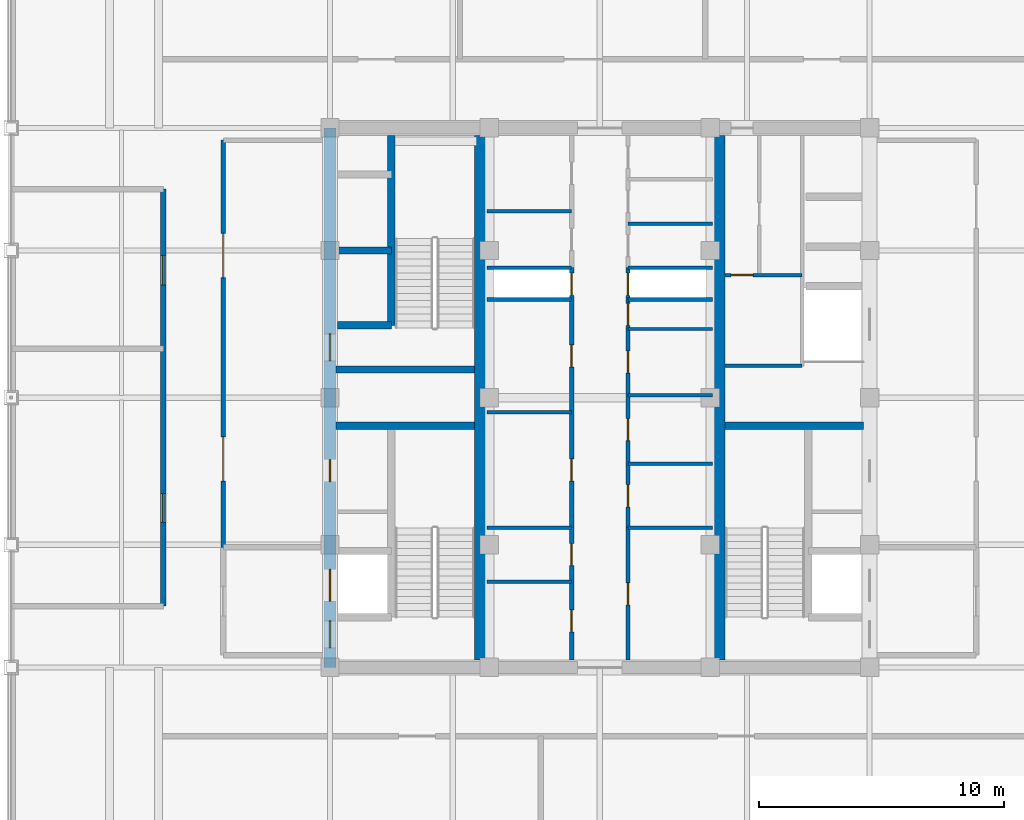
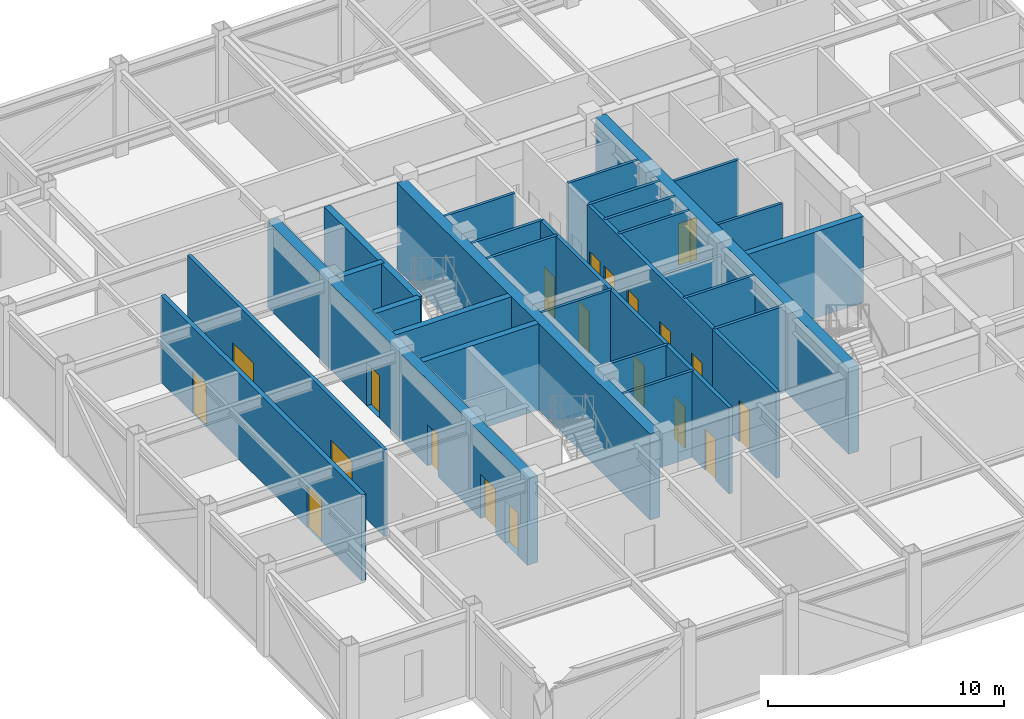
# One storey, part 24 of 27: 30 walls, 20 doors, 20 openings.
"""IFC4 building model written with IfcOpenShell, lengths in metres."""

from ifc_helpers import new_model, si_unit, direction, frame, frame_2d, origin, place, context, subcontext, project, spatial, rectangle, extrude, source, transform, mapped, material, layer, layer_set, type_object, element, fill, save


model = new_model("IFC4")

# Units and contexts
model_context = context("Model", 3, precision=1e-05, world=origin(), true_north=direction((0.0, 1.0)))
body_context = subcontext(model_context, "Body", "Model", "MODEL_VIEW")
ifc_project = project(units=[si_unit("LENGTHUNIT", "METRE"), si_unit("AREAUNIT", "SQUARE_METRE"), si_unit("VOLUMEUNIT", "CUBIC_METRE"), si_unit("PLANEANGLEUNIT", "RADIAN"), si_unit("MASSUNIT", "GRAM", prefix="KILO")], contexts=[model_context])

# Site, building, storey
site_placement = place(None, origin())
site = spatial("IfcSite", under=ifc_project, at=site_placement, CompositionType="ELEMENT")
building_placement = place(site_placement, origin())
building = spatial("IfcBuilding", under=site, at=building_placement, Name="Khorayat Bourse Tower", CompositionType="ELEMENT")
storey_placement = place(building_placement, frame((0.0, 0.0, 380.300048828125)))
storey = spatial("IfcBuildingStorey", under=building, at=storey_placement, Name="L90", CompositionType="ELEMENT", Elevation=380.300048828125)

# Wall, openings, doors
ifc_material_1 = material(Name="Concrete C52/65", Category="concrete")
ifc_layer_1 = layer(ifc_material_1, 0.5)
ifc_layer_set_1 = layer_set([ifc_layer_1], Name="Concrete C52/65")
wall_type_1 = type_object("IfcWallType", Name="WAL-CORE-500", PredefinedType="SHEAR", material=ifc_layer_set_1)
shared_shape_1 = source(origin(), body_context, "Body", "SweptSolid", [
    extrude(rectangle(XDim=22.0, YDim=0.5, at=frame_2d((11.0, 0.0))), origin(), (0.0, 0.0, 1.0), 4.449951171875),
])
wall_1_placement = place(storey_placement, frame((-11.0, -11.0, 0.0), z_axis=(0.0, 0.0, 1.0), x_axis=(0.0, 1.0, 0.0)))
wall_1 = element("IfcWall", 1, at=wall_1_placement, inside=storey, type_object=wall_type_1, Name="L90 Core Shear Wall CORE-W", PredefinedType="SHEAR", context=body_context, shape_type="MappedRepresentation", body=[
    mapped(shared_shape_1, transform((0.0, 0.0, 0.0), scale=1.0)),
])
shared_shape_2 = source(origin(), body_context, "Body", "SweptSolid", [
    extrude(rectangle(XDim=1.10009765625, YDim=2.199951171875, at=frame_2d((0.550048828125, 1.10009765625))), frame((0.0, 0.260009765625, 0.0), z_axis=(0.0, -1.0, 0.0), x_axis=(1.0, 0.0, 0.0)), (0.0, 0.0, 1.0), 0.52001953125),
])
opening_1_placement = place(wall_1_placement, frame((0.800048828125, 0.0, 0.0)))
opening_1 = element("IfcOpeningElement", 2, at=opening_1_placement, cuts=wall_1, Name="Opening DI-01", PredefinedType="OPENING", context=body_context, shape_type="MappedRepresentation", body=[
    mapped(shared_shape_2, transform((0.0, 0.0, 0.0), scale=1.0)),
])
opening_2_placement = place(wall_1_placement, frame((12.5, 0.0, 0.0)))
opening_2 = element("IfcOpeningElement", 3, at=opening_2_placement, cuts=wall_1, Name="Opening DI-01", PredefinedType="OPENING", context=body_context, shape_type="MappedRepresentation", body=[
    mapped(shared_shape_2, transform((0.0, 0.0, 0.0), scale=1.0)),
])
shared_shape_3 = source(origin(), body_context, "Body", "SweptSolid", [
    extrude(rectangle(XDim=0.89990234375, YDim=2.14990234375, at=frame_2d((0.449951171875, 1.074951171875))), frame((0.0, 0.260009765625, 0.0), z_axis=(0.0, -1.0, 0.0), x_axis=(1.0, 0.0, 0.0)), (0.0, 0.0, 1.0), 0.52001953125),
])
opening_3_placement = place(wall_1_placement, frame((7.574951171875, 0.0, 0.0)))
opening_3 = element("IfcOpeningElement", 4, at=opening_3_placement, cuts=wall_1, Name="Opening DI-06", PredefinedType="OPENING", context=body_context, shape_type="MappedRepresentation", body=[
    mapped(shared_shape_3, transform((0.0, 0.0, 0.0), scale=1.0)),
])
shared_shape_4 = source(origin(), body_context, "Body", "SweptSolid", [
    extrude(rectangle(XDim=1.300048828125, YDim=2.300048828125, at=frame_2d((0.64990234375, 1.14990234375))), frame((0.0, 0.260009765625, 0.0), z_axis=(0.0, -1.0, 0.0), x_axis=(1.0, 0.0, 0.0)), (0.0, 0.0, 1.0), 0.52001953125),
])
opening_4_placement = place(wall_1_placement, frame((2.699951171875, 0.0, 0.0)))
opening_4 = element("IfcOpeningElement", 5, at=opening_4_placement, cuts=wall_1, Name="Opening LD-02", PredefinedType="OPENING", context=body_context, shape_type="MappedRepresentation", body=[
    mapped(shared_shape_4, transform((0.0, 0.0, 0.0), scale=1.0)),
])
ifc_material_2 = material(Name="Fire-rated steel acoustic leaf", Category="steel")
door_type_1 = type_object("IfcDoorType", Name="DR-INT-STAIR-1100", OperationType="NOTDEFINED", PredefinedType="DOOR", material=ifc_material_2)
shared_shape_5 = source(origin(), body_context, "Body", "SweptSolid", [
    extrude(rectangle(XDim=1.10009765625, YDim=2.199951171875, at=frame_2d((0.550048828125, 1.10009765625))), frame((0.0, 0.02490234375, 0.0), z_axis=(0.0, -1.0, 0.0), x_axis=(1.0, 0.0, 0.0)), (0.0, 0.0, 1.0), 0.050048828125),
])
door_1_placement = place(opening_1_placement, origin())
door_1 = element("IfcDoor", 6, at=door_1_placement, inside=storey, type_object=door_type_1, Name="L90 Exit Stair 1 Door", OperationType="SINGLE_SWING_RIGHT", OverallHeight=2.199951171875, OverallWidth=1.10009765625, PredefinedType="DOOR", context=body_context, shape_type="MappedRepresentation", body=[
    mapped(shared_shape_5, transform((0.0, 0.0, 0.0), scale=1.0)),
])
fill(opening_1, door_1)
door_2_placement = place(opening_2_placement, origin())
door_2 = element("IfcDoor", 7, at=door_2_placement, inside=storey, type_object=door_type_1, Name="L90 Exit Stair 2 Door", OperationType="SINGLE_SWING_RIGHT", OverallHeight=2.199951171875, OverallWidth=1.10009765625, PredefinedType="DOOR", context=body_context, shape_type="MappedRepresentation", body=[
    mapped(shared_shape_5, transform((0.0, 0.0, 0.0), scale=1.0)),
])
fill(opening_2, door_2)
ifc_material_3 = material(Name="Moisture-resistant laminate washroom door")
door_type_2 = type_object("IfcDoorType", Name="DR-INT-WC-900", OperationType="NOTDEFINED", PredefinedType="DOOR", material=ifc_material_3)
shared_shape_6 = source(origin(), body_context, "Body", "SweptSolid", [
    extrude(rectangle(XDim=0.89990234375, YDim=2.14990234375, at=frame_2d((0.449951171875, 1.074951171875))), frame((0.0, 0.02490234375, 0.0), z_axis=(0.0, -1.0, 0.0), x_axis=(1.0, 0.0, 0.0)), (0.0, 0.0, 1.0), 0.050048828125),
])
door_3_placement = place(opening_3_placement, origin())
door_3 = element("IfcDoor", 8, at=door_3_placement, inside=storey, type_object=door_type_2, Name="L90 UPS Switch Plant Room Door", OperationType="SINGLE_SWING_RIGHT", OverallHeight=2.14990234375, OverallWidth=0.89990234375, PredefinedType="DOOR", context=body_context, shape_type="MappedRepresentation", body=[
    mapped(shared_shape_6, transform((0.0, 0.0, 0.0), scale=1.0)),
])
fill(opening_3, door_3)
ifc_material_4 = material(Name="Fire-rated stainless-steel sliding landing door", Category="steel")
door_type_3 = type_object("IfcDoorType", Name="DR-LIFT-FF-1300", OperationType="NOTDEFINED", PredefinedType="DOOR", material=ifc_material_4)
shared_shape_7 = source(origin(), body_context, "Body", "SweptSolid", [
    extrude(rectangle(XDim=1.300048828125, YDim=2.300048828125, at=frame_2d((0.64990234375, 1.14990234375))), frame((0.0, 0.02490234375, 0.0), z_axis=(0.0, -1.0, 0.0), x_axis=(1.0, 0.0, 0.0)), (0.0, 0.0, 1.0), 0.050048828125),
])
door_4_placement = place(opening_4_placement, origin())
door_4 = element("IfcDoor", 9, at=door_4_placement, inside=storey, type_object=door_type_3, Name="L90 Lift FFL-01 Sliding Landing Door", OperationType="SLIDING_TO_LEFT", OverallHeight=2.300048828125, OverallWidth=1.300048828125, PredefinedType="DOOR", context=body_context, shape_type="MappedRepresentation", body=[
    mapped(shared_shape_7, transform((0.0, 0.0, 0.0), scale=1.0)),
])
fill(opening_4, door_4)

# Walls
shared_shape_8 = source(origin(), body_context, "Body", "SweptSolid", [
    extrude(rectangle(XDim=21.39990234375, YDim=0.5, at=frame_2d((10.699951171875, 0.0))), origin(), (0.0, 0.0, 1.0), 4.449951171875),
])
for number, where, z_axis, x_axis, name in (
    (10, (-4.85009765625, -10.699951171875, 0.0), (0.0, 0.0, 1.0), (0.0, 1.0, 0.0), "L90 Core Shear Wall PIER-W"),
    (11, (4.85009765625, -10.699951171875, 0.0), (0.0, 0.0, 1.0), (0.0, 1.0, 0.0), "L90 Core Shear Wall PIER-E"),
):
    element("IfcWall", number, at=place(storey_placement, frame(where, z_axis=z_axis, x_axis=x_axis)), inside=storey, type_object=wall_type_1, Name=name, PredefinedType="SHEAR", context=body_context, shape_type="MappedRepresentation", body=[
        mapped(shared_shape_8, transform((0.0, 0.0, 0.0), scale=1.0)),
    ])
ifc_material_5 = material(Name="Concrete C50/60", Category="concrete")
ifc_layer_2 = layer(ifc_material_5, 0.300048828125)
ifc_layer_set_2 = layer_set([ifc_layer_2], Name="Concrete C50/60")
wall_type_2 = type_object("IfcWallType", Name="WAL-SHAFT-300", PredefinedType="SHEAR", material=ifc_layer_set_2)
shared_shape_9 = source(origin(), body_context, "Body", "SweptSolid", [
    extrude(rectangle(XDim=5.64990234375, YDim=0.300048828125, at=frame_2d((2.824951171875, 0.0))), origin(), (0.0, 0.0, 1.0), 4.449951171875),
])
for number, where, z_axis, x_axis, name in (
    (12, (-10.75, -1.14990234375, 0.0), (0.0, 0.0, 1.0), (1.0, 0.0, 0.0), "L90 Core Shear Wall ST1-DIV"),
    (13, (-10.75, 1.14990234375, 0.0), (0.0, 0.0, 1.0), (1.0, 0.0, 0.0), "L90 Core Shear Wall ST2-DIV"),
    (14, (5.10009765625, -1.14990234375, 0.0), (0.0, 0.0, 1.0), (1.0, 0.0, 0.0), "L90 Core Shear Wall ST3-DIV"),
):
    element("IfcWall", number, at=place(storey_placement, frame(where, z_axis=z_axis, x_axis=x_axis)), inside=storey, type_object=wall_type_2, Name=name, PredefinedType="SHEAR", context=body_context, shape_type="MappedRepresentation", body=[
        mapped(shared_shape_9, transform((0.0, 0.0, 0.0), scale=1.0)),
    ])
shared_shape_10 = source(origin(), body_context, "Body", "SweptSolid", [
    extrude(rectangle(XDim=2.199951171875, YDim=0.300048828125, at=frame_2d((1.10009765625, 0.0))), origin(), (0.0, 0.0, 1.0), 4.449951171875),
])
for number, where, z_axis, x_axis, name in (
    (15, (-10.699951171875, 2.949951171875, 0.0), (0.0, 0.0, 1.0), (1.0, 0.0, 0.0), "L90 Partition WAL-L90-WPIER-H1S"),
    (16, (-10.699951171875, 6.0, 0.0), (0.0, 0.0, 1.0), (1.0, 0.0, 0.0), "L90 Partition WAL-L90-WPIER-H12"),
):
    element("IfcWall", number, at=place(storey_placement, frame(where, z_axis=z_axis, x_axis=x_axis)), inside=storey, type_object=wall_type_2, Name=name, PredefinedType="SHEAR", context=body_context, shape_type="MappedRepresentation", body=[
        mapped(shared_shape_10, transform((0.0, 0.0, 0.0), scale=1.0)),
    ])
shared_shape_11 = source(origin(), body_context, "Body", "SweptSolid", [
    extrude(rectangle(XDim=7.75, YDim=0.300048828125, at=frame_2d((3.875, 0.0))), origin(), (0.0, 0.0, 1.0), 4.449951171875),
])
wall_2_placement = place(storey_placement, frame((-8.5, 2.949951171875, 0.0), z_axis=(0.0, 0.0, 1.0), x_axis=(0.0, 1.0, 0.0)))
element("IfcWall", 17, at=wall_2_placement, inside=storey, type_object=wall_type_2, Name="L90 Partition WAL-L90-WPIER-ST2S", PredefinedType="SHEAR", context=body_context, shape_type="MappedRepresentation", body=[
    mapped(shared_shape_11, transform((0.0, 0.0, 0.0), scale=1.0)),
])
ifc_material_6 = material(Name="Moisture-resistant masonry partition", Category="masonry")
ifc_layer_3 = layer(ifc_material_6, 0.139892578125)
ifc_layer_set_3 = layer_set([ifc_layer_3], Name="Moisture-resistant masonry partition")
wall_type_3 = type_object("IfcWallType", Name="WAL-PART-WET-140", PredefinedType="PARTITIONING", material=ifc_layer_set_3)
shared_shape_12 = source(origin(), body_context, "Body", "SweptSolid", [
    extrude(rectangle(XDim=3.14990234375, YDim=0.139892578125, at=frame_2d((1.574951171875, 0.0))), origin(), (0.0, 0.0, 1.0), 4.449951171875),
])
wall_3_placement = place(storey_placement, frame((5.10009765625, 1.300048828125, 0.0), z_axis=(0.0, 0.0, 1.0), x_axis=(1.0, 0.0, 0.0)))
element("IfcWall", 18, at=wall_3_placement, inside=storey, type_object=wall_type_3, Name="L90 Partition WAL-L90-ECORE-S", PredefinedType="PARTITIONING", context=body_context, shape_type="MappedRepresentation", body=[
    mapped(shared_shape_12, transform((0.0, 0.0, 0.0), scale=1.0)),
])

# Wall, opening, door
wall_4_placement = place(storey_placement, frame((5.10009765625, 5.0, 0.0), z_axis=(0.0, 0.0, 1.0), x_axis=(1.0, 0.0, 0.0)))
wall_4 = element("IfcWall", 19, at=wall_4_placement, inside=storey, type_object=wall_type_3, Name="L90 Partition WAL-L90-ECW-BOT", PredefinedType="PARTITIONING", context=body_context, shape_type="MappedRepresentation", body=[
    mapped(shared_shape_12, transform((0.0, 0.0, 0.0), scale=1.0)),
])
shared_shape_13 = source(origin(), body_context, "Body", "SweptSolid", [
    extrude(rectangle(XDim=0.89990234375, YDim=2.14990234375, at=frame_2d((0.449951171875, 1.074951171875))), frame((0.0, 0.079833984375, 0.0), z_axis=(0.0, -1.0, 0.0), x_axis=(1.0, 0.0, 0.0)), (0.0, 0.0, 1.0), 0.159912109375),
])
opening_5_placement = place(wall_4_placement, frame((0.25, 0.0, 0.0)))
opening_5 = element("IfcOpeningElement", 20, at=opening_5_placement, cuts=wall_4, Name="Opening DI-06", PredefinedType="OPENING", context=body_context, shape_type="MappedRepresentation", body=[
    mapped(shared_shape_13, transform((0.0, 0.0, 0.0), scale=1.0)),
])
door_5_placement = place(opening_5_placement, origin())
door_5 = element("IfcDoor", 21, at=door_5_placement, inside=storey, type_object=door_type_2, Name="L90 Shared Washroom Door", OperationType="SINGLE_SWING_LEFT", OverallHeight=2.14990234375, OverallWidth=0.89990234375, PredefinedType="DOOR", context=body_context, shape_type="MappedRepresentation", body=[
    mapped(shared_shape_6, transform((0.0, 0.0, 0.0), scale=1.0)),
])
fill(opening_5, door_5)

# Wall, openings, doors
ifc_material_7 = material(Name="Gypsum plasterboard acoustic stud wall")
ifc_layer_4 = layer(ifc_material_7, 0.179931640625)
ifc_layer_set_4 = layer_set([ifc_layer_4], Name="Gypsum plasterboard acoustic stud wall")
wall_type_4 = type_object("IfcWallType", Name="WAL-PART-CORR-180", PredefinedType="PARTITIONING", material=ifc_layer_set_4)
shared_shape_14 = source(origin(), body_context, "Body", "SweptSolid", [
    extrude(rectangle(XDim=16.60009765625, YDim=0.179931640625, at=frame_2d((8.300048828125, 0.0))), origin(), (0.0, 0.0, 1.0), 4.449951171875),
])
wall_5_placement = place(storey_placement, frame((-15.35009765625, -6.10009765625, 0.0), z_axis=(0.0, 0.0, 1.0), x_axis=(0.0, 1.0, 0.0)))
wall_5 = element("IfcWall", 22, at=wall_5_placement, inside=storey, type_object=wall_type_4, Name="L90 Partition WAL-L90-WLOB-W", PredefinedType="PARTITIONING", context=body_context, shape_type="MappedRepresentation", body=[
    mapped(shared_shape_14, transform((0.0, 0.0, 0.0), scale=1.0)),
])
shared_shape_15 = source(origin(), body_context, "Body", "SweptSolid", [
    extrude(rectangle(XDim=1.800048828125, YDim=2.25, at=frame_2d((0.89990234375, 1.125))), frame((0.0, 0.099853515625, 0.0), z_axis=(0.0, -1.0, 0.0), x_axis=(1.0, 0.0, 0.0)), (0.0, 0.0, 1.0), 0.199951171875),
])
opening_6_placement = place(wall_5_placement, frame((2.699951171875, 0.0, 0.0)))
opening_6 = element("IfcOpeningElement", 23, at=opening_6_placement, cuts=wall_5, Name="Opening DI-03", PredefinedType="OPENING", context=body_context, shape_type="MappedRepresentation", body=[
    mapped(shared_shape_15, transform((0.0, 0.0, 0.0), scale=1.0)),
])
opening_7_placement = place(wall_5_placement, frame((11.0, 0.0, 0.0)))
opening_7 = element("IfcOpeningElement", 24, at=opening_7_placement, cuts=wall_5, Name="Opening DI-03", PredefinedType="OPENING", context=body_context, shape_type="MappedRepresentation", body=[
    mapped(shared_shape_15, transform((0.0, 0.0, 0.0), scale=1.0)),
])
ifc_material_8 = material(Name="Fire-rated hardwood vision-panel double leaf", Category="wood")
door_type_4 = type_object("IfcDoorType", Name="DR-INT-CORR-1800", OperationType="NOTDEFINED", PredefinedType="DOOR", material=ifc_material_8)
shared_shape_16 = source(origin(), body_context, "Body", "SweptSolid", [
    extrude(rectangle(XDim=1.800048828125, YDim=2.25, at=frame_2d((0.89990234375, 1.125))), frame((0.0, 0.02490234375, 0.0), z_axis=(0.0, -1.0, 0.0), x_axis=(1.0, 0.0, 0.0)), (0.0, 0.0, 1.0), 0.050048828125),
])
door_6_placement = place(opening_6_placement, origin())
door_6 = element("IfcDoor", 25, at=door_6_placement, inside=storey, type_object=door_type_4, Name="L90 West Core Lobby South Door", OperationType="SINGLE_SWING_LEFT", OverallHeight=2.25, OverallWidth=1.800048828125, PredefinedType="DOOR", context=body_context, shape_type="MappedRepresentation", body=[
    mapped(shared_shape_16, transform((0.0, 0.0, 0.0), scale=1.0)),
])
fill(opening_6, door_6)
door_7_placement = place(opening_7_placement, origin())
door_7 = element("IfcDoor", 26, at=door_7_placement, inside=storey, type_object=door_type_4, Name="L90 West Core Lobby North Door", OperationType="SINGLE_SWING_RIGHT", OverallHeight=2.25, OverallWidth=1.800048828125, PredefinedType="DOOR", context=body_context, shape_type="MappedRepresentation", body=[
    mapped(shared_shape_16, transform((0.0, 0.0, 0.0), scale=1.0)),
])
fill(opening_7, door_7)

# Walls
ifc_material_9 = material(Name="Gypsum plasterboard twin-frame partition")
ifc_layer_5 = layer(ifc_material_9, 0.14990234375)
ifc_layer_set_5 = layer_set([ifc_layer_5], Name="Gypsum plasterboard twin-frame partition")
wall_type_5 = type_object("IfcWallType", Name="WAL-PART-SUITE-150", PredefinedType="PARTITIONING", material=ifc_layer_set_5)
shared_shape_17 = source(origin(), body_context, "Body", "SweptSolid", [
    extrude(rectangle(XDim=3.4501953125, YDim=0.14990234375, at=frame_2d((1.72509765625, 0.0))), origin(), (0.0, 0.0, 1.0), 4.449951171875),
])
for number, where, z_axis, x_axis, name in (
    (27, (-4.60009765625, 4.0, 0.0), (0.0, 0.0, 1.0), (1.0, 0.0, 0.0), "L90 Partition WAL-L90-CRSW-S"),
    (28, (1.14990234375, 4.0, 0.0), (0.0, 0.0, 1.0), (1.0, 0.0, 0.0), "L90 Partition WAL-L90-CRSE-S"),
    (29, (-4.60009765625, -5.300048828125, 0.0), (0.0, 0.0, 1.0), (1.0, 0.0, 0.0), "L90 Partition WAL-L90-FB1-NW"),
    (30, (1.14990234375, -5.300048828125, 0.0), (0.0, 0.0, 1.0), (1.0, 0.0, 0.0), "L90 Partition WAL-L90-FB1-NE"),
    (31, (-4.60009765625, 5.300048828125, 0.0), (0.0, 0.0, 1.0), (1.0, 0.0, 0.0), "L90 Partition WAL-L90-FB2-SW"),
    (32, (1.14990234375, 5.300048828125, 0.0), (0.0, 0.0, 1.0), (1.0, 0.0, 0.0), "L90 Partition WAL-L90-FB2-SE"),
):
    element("IfcWall", number, at=place(storey_placement, frame(where, z_axis=z_axis, x_axis=x_axis)), inside=storey, type_object=wall_type_5, Name=name, PredefinedType="PARTITIONING", context=body_context, shape_type="MappedRepresentation", body=[
        mapped(shared_shape_17, transform((0.0, 0.0, 0.0), scale=1.0)),
    ])
shared_shape_18 = source(origin(), body_context, "Body", "SweptSolid", [
    extrude(rectangle(XDim=3.4501953125, YDim=0.139892578125, at=frame_2d((1.72509765625, 0.0))), origin(), (0.0, 0.0, 1.0), 4.449951171875),
])
for number, where, z_axis, x_axis, name in (
    (33, (-4.60009765625, -7.5, 0.0), (0.0, 0.0, 1.0), (1.0, 0.0, 0.0), "L90 Partition WAL-L90-FB1W-D1"),
    (34, (-4.60009765625, 7.60009765625, 0.0), (0.0, 0.0, 1.0), (1.0, 0.0, 0.0), "L90 Partition WAL-L90-FB2W-D1"),
    (35, (1.14990234375, 7.10009765625, 0.0), (0.0, 0.0, 1.0), (1.0, 0.0, 0.0), "L90 Partition WAL-L90-FB2E-D1"),
    (36, (-4.60009765625, -0.60009765625, 0.0), (0.0, 0.0, 1.0), (1.0, 0.0, 0.0), "L90 Partition WAL-L90-CMW-D1"),
    (37, (1.14990234375, -2.699951171875, 0.0), (0.0, 0.0, 1.0), (1.0, 0.0, 0.0), "L90 Partition WAL-L90-CME-D1"),
    (38, (1.14990234375, 2.800048828125, 0.0), (0.0, 0.0, 1.0), (1.0, 0.0, 0.0), "L90 Partition WAL-L90-CME-D3"),
):
    element("IfcWall", number, at=place(storey_placement, frame(where, z_axis=z_axis, x_axis=x_axis)), inside=storey, type_object=wall_type_3, Name=name, PredefinedType="PARTITIONING", context=body_context, shape_type="MappedRepresentation", body=[
        mapped(shared_shape_18, transform((0.0, 0.0, 0.0), scale=1.0)),
    ])

# Wall, openings, doors
shared_shape_19 = source(origin(), body_context, "Body", "SweptSolid", [
    extrude(rectangle(XDim=5.39990234375, YDim=0.179931640625, at=frame_2d((2.699951171875, 0.0))), origin(), (0.0, 0.0, 1.0), 4.449951171875),
])
wall_6_placement = place(storey_placement, frame((-1.14990234375, -10.699951171875, 0.0), z_axis=(0.0, 0.0, 1.0), x_axis=(0.0, 1.0, 0.0)))
wall_6 = element("IfcWall", 39, at=wall_6_placement, inside=storey, type_object=wall_type_4, Name="L90 Partition WAL-L90-FB1W-L", PredefinedType="PARTITIONING", context=body_context, shape_type="MappedRepresentation", body=[
    mapped(shared_shape_19, transform((0.0, 0.0, 0.0), scale=1.0)),
])
shared_shape_20 = source(origin(), body_context, "Body", "SweptSolid", [
    extrude(rectangle(XDim=0.89990234375, YDim=2.14990234375, at=frame_2d((0.449951171875, 1.074951171875))), frame((0.0, 0.099853515625, 0.0), z_axis=(0.0, -1.0, 0.0), x_axis=(1.0, 0.0, 0.0)), (0.0, 0.0, 1.0), 0.199951171875),
])
opening_8_placement = place(wall_6_placement, frame((1.14990234375, 0.0, 0.0)))
opening_8 = element("IfcOpeningElement", 40, at=opening_8_placement, cuts=wall_6, Name="Opening DI-06", PredefinedType="OPENING", context=body_context, shape_type="MappedRepresentation", body=[
    mapped(shared_shape_20, transform((0.0, 0.0, 0.0), scale=1.0)),
])
opening_9_placement = place(wall_6_placement, frame((3.85009765625, 0.0, 0.0)))
opening_9 = element("IfcOpeningElement", 41, at=opening_9_placement, cuts=wall_6, Name="Opening DI-06", PredefinedType="OPENING", context=body_context, shape_type="MappedRepresentation", body=[
    mapped(shared_shape_20, transform((0.0, 0.0, 0.0), scale=1.0)),
])
door_8_placement = place(opening_8_placement, origin())
door_8 = element("IfcDoor", 42, at=door_8_placement, inside=storey, type_object=door_type_2, Name="L90 Records Vault Store Door", OperationType="SINGLE_SWING_RIGHT", OverallHeight=2.14990234375, OverallWidth=0.89990234375, PredefinedType="DOOR", context=body_context, shape_type="MappedRepresentation", body=[
    mapped(shared_shape_6, transform((0.0, 0.0, 0.0), scale=1.0)),
])
fill(opening_8, door_8)
door_9_placement = place(opening_9_placement, origin())
door_9 = element("IfcDoor", 43, at=door_9_placement, inside=storey, type_object=door_type_2, Name="L90 Sprinkler Valve Plant Room Door", OperationType="SINGLE_SWING_LEFT", OverallHeight=2.14990234375, OverallWidth=0.89990234375, PredefinedType="DOOR", context=body_context, shape_type="MappedRepresentation", body=[
    mapped(shared_shape_6, transform((0.0, 0.0, 0.0), scale=1.0)),
])
fill(opening_9, door_9)

# Wall, opening, door
wall_7_placement = place(storey_placement, frame((1.14990234375, -10.699951171875, 0.0), z_axis=(0.0, 0.0, 1.0), x_axis=(0.0, 1.0, 0.0)))
wall_7 = element("IfcWall", 44, at=wall_7_placement, inside=storey, type_object=wall_type_4, Name="L90 Partition WAL-L90-FB1E-L", PredefinedType="PARTITIONING", context=body_context, shape_type="MappedRepresentation", body=[
    mapped(shared_shape_19, transform((0.0, 0.0, 0.0), scale=1.0)),
])
opening_10_placement = place(wall_7_placement, frame((2.25, 0.0, 0.0)))
opening_10 = element("IfcOpeningElement", 45, at=opening_10_placement, cuts=wall_7, Name="Opening DI-06", PredefinedType="OPENING", context=body_context, shape_type="MappedRepresentation", body=[
    mapped(shared_shape_20, transform((0.0, 0.0, 0.0), scale=1.0)),
])
door_10_placement = place(opening_10_placement, origin())
door_10 = element("IfcDoor", 46, at=door_10_placement, inside=storey, type_object=door_type_2, Name="L90 Telemetry Server Plant Room Door", OperationType="SINGLE_SWING_RIGHT", OverallHeight=2.14990234375, OverallWidth=0.89990234375, PredefinedType="DOOR", context=body_context, shape_type="MappedRepresentation", body=[
    mapped(shared_shape_6, transform((0.0, 0.0, 0.0), scale=1.0)),
])
fill(opening_10, door_10)

# Wall, openings, doors
shared_shape_21 = source(origin(), body_context, "Body", "SweptSolid", [
    extrude(rectangle(XDim=10.60009765625, YDim=0.179931640625, at=frame_2d((5.300048828125, 0.0))), origin(), (0.0, 0.0, 1.0), 4.449951171875),
])
wall_8_placement = place(storey_placement, frame((-1.14990234375, -5.300048828125, 0.0), z_axis=(0.0, 0.0, 1.0), x_axis=(0.0, 1.0, 0.0)))
wall_8 = element("IfcWall", 47, at=wall_8_placement, inside=storey, type_object=wall_type_4, Name="L90 Partition WAL-L90-CMW-L", PredefinedType="PARTITIONING", context=body_context, shape_type="MappedRepresentation", body=[
    mapped(shared_shape_21, transform((0.0, 0.0, 0.0), scale=1.0)),
])
opening_11_placement = place(wall_8_placement, frame((1.89990234375, 0.0, 0.0)))
opening_11 = element("IfcOpeningElement", 48, at=opening_11_placement, cuts=wall_8, Name="Opening DI-06", PredefinedType="OPENING", context=body_context, shape_type="MappedRepresentation", body=[
    mapped(shared_shape_20, transform((0.0, 0.0, 0.0), scale=1.0)),
])
opening_12_placement = place(wall_8_placement, frame((6.550048828125, 0.0, 0.0)))
opening_12 = element("IfcOpeningElement", 49, at=opening_12_placement, cuts=wall_8, Name="Opening DI-06", PredefinedType="OPENING", context=body_context, shape_type="MappedRepresentation", body=[
    mapped(shared_shape_20, transform((0.0, 0.0, 0.0), scale=1.0)),
])
opening_13_placement = place(wall_8_placement, frame((9.47509765625, 0.0, 0.0)))
opening_13 = element("IfcOpeningElement", 50, at=opening_13_placement, cuts=wall_8, Name="Opening DI-06", PredefinedType="OPENING", context=body_context, shape_type="MappedRepresentation", body=[
    mapped(shared_shape_20, transform((0.0, 0.0, 0.0), scale=1.0)),
])
door_11_placement = place(opening_11_placement, origin())
door_11 = element("IfcDoor", 51, at=door_11_placement, inside=storey, type_object=door_type_2, Name="L90 Male Core Washroom Door", OperationType="SINGLE_SWING_RIGHT", OverallHeight=2.14990234375, OverallWidth=0.89990234375, PredefinedType="DOOR", context=body_context, shape_type="MappedRepresentation", body=[
    mapped(shared_shape_6, transform((0.0, 0.0, 0.0), scale=1.0)),
])
fill(opening_11, door_11)
door_12_placement = place(opening_12_placement, origin())
door_12 = element("IfcDoor", 52, at=door_12_placement, inside=storey, type_object=door_type_2, Name="L90 Chilled Water Riser Plant Room Door", OperationType="SINGLE_SWING_LEFT", OverallHeight=2.14990234375, OverallWidth=0.89990234375, PredefinedType="DOOR", context=body_context, shape_type="MappedRepresentation", body=[
    mapped(shared_shape_6, transform((0.0, 0.0, 0.0), scale=1.0)),
])
fill(opening_12, door_12)
door_13_placement = place(opening_13_placement, origin())
door_13 = element("IfcDoor", 53, at=door_13_placement, inside=storey, type_object=door_type_2, Name="L90 West Core Riser Door", OperationType="SINGLE_SWING_LEFT", OverallHeight=2.14990234375, OverallWidth=0.89990234375, PredefinedType="DOOR", context=body_context, shape_type="MappedRepresentation", body=[
    mapped(shared_shape_6, transform((0.0, 0.0, 0.0), scale=1.0)),
])
fill(opening_13, door_13)

wall_9_placement = place(storey_placement, frame((1.14990234375, -5.300048828125, 0.0), z_axis=(0.0, 0.0, 1.0), x_axis=(0.0, 1.0, 0.0)))
wall_9 = element("IfcWall", 54, at=wall_9_placement, inside=storey, type_object=wall_type_4, Name="L90 Partition WAL-L90-CME-L", PredefinedType="PARTITIONING", context=body_context, shape_type="MappedRepresentation", body=[
    mapped(shared_shape_21, transform((0.0, 0.0, 0.0), scale=1.0)),
])
opening_14_placement = place(wall_9_placement, frame((0.85009765625, 0.0, 0.0)))
opening_14 = element("IfcOpeningElement", 55, at=opening_14_placement, cuts=wall_9, Name="Opening DI-06", PredefinedType="OPENING", context=body_context, shape_type="MappedRepresentation", body=[
    mapped(shared_shape_20, transform((0.0, 0.0, 0.0), scale=1.0)),
])
opening_15_placement = place(wall_9_placement, frame((3.550048828125, 0.0, 0.0)))
opening_15 = element("IfcOpeningElement", 56, at=opening_15_placement, cuts=wall_9, Name="Opening DI-06", PredefinedType="OPENING", context=body_context, shape_type="MappedRepresentation", body=[
    mapped(shared_shape_20, transform((0.0, 0.0, 0.0), scale=1.0)),
])
opening_16_placement = place(wall_9_placement, frame((6.300048828125, 0.0, 0.0)))
opening_16 = element("IfcOpeningElement", 57, at=opening_16_placement, cuts=wall_9, Name="Opening DI-06", PredefinedType="OPENING", context=body_context, shape_type="MappedRepresentation", body=[
    mapped(shared_shape_20, transform((0.0, 0.0, 0.0), scale=1.0)),
])
opening_17_placement = place(wall_9_placement, frame((8.25, 0.0, 0.0)))
opening_17 = element("IfcOpeningElement", 58, at=opening_17_placement, cuts=wall_9, Name="Opening DI-06", PredefinedType="OPENING", context=body_context, shape_type="MappedRepresentation", body=[
    mapped(shared_shape_20, transform((0.0, 0.0, 0.0), scale=1.0)),
])
opening_18_placement = place(wall_9_placement, frame((9.47509765625, 0.0, 0.0)))
opening_18 = element("IfcOpeningElement", 59, at=opening_18_placement, cuts=wall_9, Name="Opening DI-06", PredefinedType="OPENING", context=body_context, shape_type="MappedRepresentation", body=[
    mapped(shared_shape_20, transform((0.0, 0.0, 0.0), scale=1.0)),
])
door_14_placement = place(opening_14_placement, origin())
door_14 = element("IfcDoor", 60, at=door_14_placement, inside=storey, type_object=door_type_2, Name="L90 Female Core Washroom Door", OperationType="SINGLE_SWING_RIGHT", OverallHeight=2.14990234375, OverallWidth=0.89990234375, PredefinedType="DOOR", context=body_context, shape_type="MappedRepresentation", body=[
    mapped(shared_shape_6, transform((0.0, 0.0, 0.0), scale=1.0)),
])
fill(opening_14, door_14)
door_15_placement = place(opening_15_placement, origin())
door_15 = element("IfcDoor", 61, at=door_15_placement, inside=storey, type_object=door_type_2, Name="L90 Comms Patch Room Door", OperationType="SINGLE_SWING_LEFT", OverallHeight=2.14990234375, OverallWidth=0.89990234375, PredefinedType="DOOR", context=body_context, shape_type="MappedRepresentation", body=[
    mapped(shared_shape_6, transform((0.0, 0.0, 0.0), scale=1.0)),
])
fill(opening_15, door_15)
door_16_placement = place(opening_16_placement, origin())
door_16 = element("IfcDoor", 62, at=door_16_placement, inside=storey, type_object=door_type_2, Name="L90 Janitor Cupboard Door", OperationType="SINGLE_SWING_RIGHT", OverallHeight=2.14990234375, OverallWidth=0.89990234375, PredefinedType="DOOR", context=body_context, shape_type="MappedRepresentation", body=[
    mapped(shared_shape_6, transform((0.0, 0.0, 0.0), scale=1.0)),
])
fill(opening_16, door_16)
door_17_placement = place(opening_17_placement, origin())
door_17 = element("IfcDoor", 63, at=door_17_placement, inside=storey, type_object=door_type_2, Name="L90 Fire Valve Plant Room Door", OperationType="SINGLE_SWING_LEFT", OverallHeight=2.14990234375, OverallWidth=0.89990234375, PredefinedType="DOOR", context=body_context, shape_type="MappedRepresentation", body=[
    mapped(shared_shape_6, transform((0.0, 0.0, 0.0), scale=1.0)),
])
fill(opening_17, door_17)
door_18_placement = place(opening_18_placement, origin())
door_18 = element("IfcDoor", 64, at=door_18_placement, inside=storey, type_object=door_type_2, Name="L90 East Core Riser Door", OperationType="SINGLE_SWING_RIGHT", OverallHeight=2.14990234375, OverallWidth=0.89990234375, PredefinedType="DOOR", context=body_context, shape_type="MappedRepresentation", body=[
    mapped(shared_shape_6, transform((0.0, 0.0, 0.0), scale=1.0)),
])
fill(opening_18, door_18)

# Wall
shared_shape_22 = source(origin(), body_context, "Body", "SweptSolid", [
    extrude(rectangle(XDim=3.4501953125, YDim=0.139892578125, at=frame_2d((1.72509765625, 0.0))), origin(), (0.0, 0.0, 1.0), 3.7548828125),
])
wall_10_placement = place(storey_placement, frame((1.14990234375, 0.10009765625, 0.0), z_axis=(0.0, 0.0, 1.0), x_axis=(1.0, 0.0, 0.0)))
element("IfcWall", 65, at=wall_10_placement, inside=storey, type_object=wall_type_3, Name="L90 Partition WAL-L90-CME-D2", PredefinedType="PARTITIONING", context=body_context, shape_type="MappedRepresentation", body=[
    mapped(shared_shape_22, transform((0.0, 0.0, 0.0), scale=1.0)),
])

# Wall, openings, doors
ifc_material_10 = material(Name="Aerated concrete blockwork", Category="masonry")
ifc_layer_6 = layer(ifc_material_10, 0.219970703125)
ifc_layer_set_6 = layer_set([ifc_layer_6], Name="Aerated concrete blockwork")
wall_type_6 = type_object("IfcWallType", Name="WAL-PART-FF-220", PredefinedType="PARTITIONING", material=ifc_layer_set_6)
shared_shape_23 = source(origin(), body_context, "Body", "SweptSolid", [
    extrude(rectangle(XDim=17.0, YDim=0.219970703125, at=frame_2d((8.5, 0.0))), origin(), (0.0, 0.0, 1.0), 4.449951171875),
])
wall_11_placement = place(storey_placement, frame((-17.800048828125, -8.5, 0.0), z_axis=(0.0, 0.0, 1.0), x_axis=(0.0, 1.0, 0.0)))
wall_11 = element("IfcWall", 66, at=wall_11_placement, inside=storey, type_object=wall_type_6, Name="L90 Partition WAL-L90-PLW-E", PredefinedType="PARTITIONING", context=body_context, shape_type="MappedRepresentation", body=[
    mapped(shared_shape_23, transform((0.0, 0.0, 0.0), scale=1.0)),
])
shared_shape_24 = source(origin(), body_context, "Body", "SweptSolid", [
    extrude(rectangle(XDim=1.199951171875, YDim=2.199951171875, at=frame_2d((0.60009765625, 1.10009765625))), frame((0.0, 0.119873046875, 0.0), z_axis=(0.0, -1.0, 0.0), x_axis=(1.0, 0.0, 0.0)), (0.0, 0.0, 1.0), 0.239990234375),
])
opening_19_placement = place(wall_11_placement, frame((3.39990234375, 0.0, 0.0)))
opening_19 = element("IfcOpeningElement", 67, at=opening_19_placement, cuts=wall_11, Name="Opening DI-02", PredefinedType="OPENING", context=body_context, shape_type="MappedRepresentation", body=[
    mapped(shared_shape_24, transform((0.0, 0.0, 0.0), scale=1.0)),
])
opening_20_placement = place(wall_11_placement, frame((13.10009765625, 0.0, 0.0)))
opening_20 = element("IfcOpeningElement", 68, at=opening_20_placement, cuts=wall_11, Name="Opening DI-02", PredefinedType="OPENING", context=body_context, shape_type="MappedRepresentation", body=[
    mapped(shared_shape_24, transform((0.0, 0.0, 0.0), scale=1.0)),
])
ifc_material_11 = material(Name="Fire-rated steel double-seal leaf", Category="steel")
door_type_5 = type_object("IfcDoorType", Name="DR-INT-FFLOBBY-1200", OperationType="NOTDEFINED", PredefinedType="DOOR", material=ifc_material_11)
shared_shape_25 = source(origin(), body_context, "Body", "SweptSolid", [
    extrude(rectangle(XDim=1.199951171875, YDim=2.199951171875, at=frame_2d((0.60009765625, 1.10009765625))), frame((0.0, 0.02490234375, 0.0), z_axis=(0.0, -1.0, 0.0), x_axis=(1.0, 0.0, 0.0)), (0.0, 0.0, 1.0), 0.050048828125),
])
door_19_placement = place(opening_19_placement, origin())
door_19 = element("IfcDoor", 69, at=door_19_placement, inside=storey, type_object=door_type_5, Name="L90 Heat Recovery Plant South Door", OperationType="SINGLE_SWING_LEFT", OverallHeight=2.199951171875, OverallWidth=1.199951171875, PredefinedType="DOOR", context=body_context, shape_type="MappedRepresentation", body=[
    mapped(shared_shape_25, transform((0.0, 0.0, 0.0), scale=1.0)),
])
fill(opening_19, door_19)
door_20_placement = place(opening_20_placement, origin())
door_20 = element("IfcDoor", 70, at=door_20_placement, inside=storey, type_object=door_type_5, Name="L90 Lighting Control Door", OperationType="SINGLE_SWING_RIGHT", OverallHeight=2.199951171875, OverallWidth=1.199951171875, PredefinedType="DOOR", context=body_context, shape_type="MappedRepresentation", body=[
    mapped(shared_shape_25, transform((0.0, 0.0, 0.0), scale=1.0)),
])
fill(opening_20, door_20)

save(model, "model.ifc")
